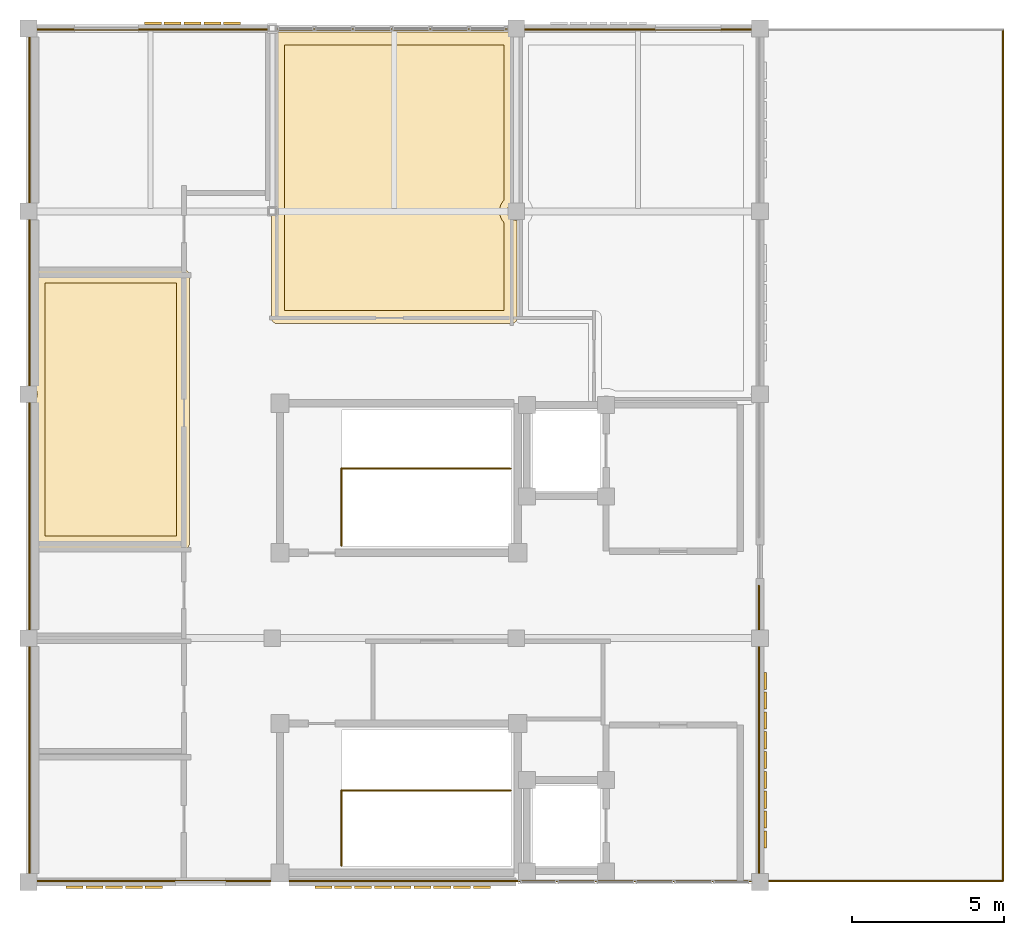
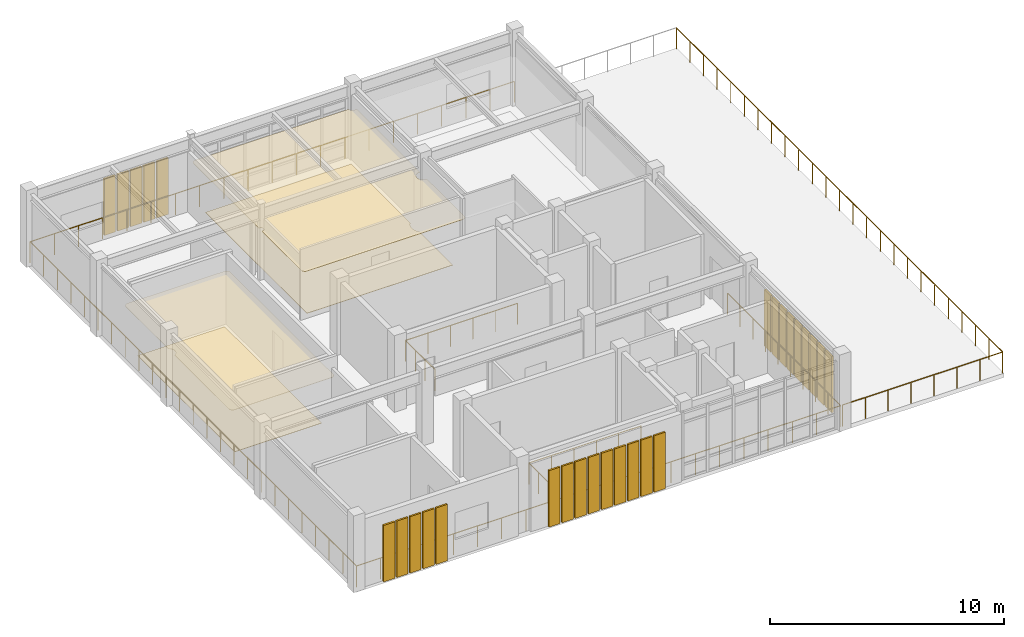
# One storey, part 10 of 11: 28 shading devices, 10 railings, 4 coverings.
"""IFC4 building model written with IfcOpenShell, lengths in metres."""

from ifc_helpers import new_model, si_unit, direction, frame, origin, origin_2d, place, context, subcontext, project, spatial, polyline, rectangle, circle, outline, extrude, material, layer, layer_set, type_object, element, save


model = new_model("IFC4")

# Units and contexts
model_context = context("Model", 3, precision=1e-05, world=origin(), true_north=direction((0.0, 1.0)))
body_context = subcontext(model_context, "Body", "Model", "MODEL_VIEW")
ifc_project = project(units=[si_unit("LENGTHUNIT", "METRE"), si_unit("AREAUNIT", "SQUARE_METRE"), si_unit("VOLUMEUNIT", "CUBIC_METRE"), si_unit("PLANEANGLEUNIT", "RADIAN"), si_unit("MASSUNIT", "GRAM", prefix="KILO")], contexts=[model_context])

# Site, building, storey
site_placement = place(None, origin())
site = spatial("IfcSite", under=ifc_project, at=site_placement, CompositionType="ELEMENT")
building_placement = place(site_placement, origin())
building = spatial("IfcBuilding", under=site, at=building_placement, Name="Celadon Cloister-Ring School", CompositionType="ELEMENT")
storey_placement = place(building_placement, frame((0.0, 0.0, 20.5)))
storey = spatial("IfcBuildingStorey", under=building, at=storey_placement, Name="L05", CompositionType="ELEMENT", Elevation=20.5)

# Coverings
ifc_material_1 = material(Name="Mineral-fibre acoustic ceiling board")
ifc_layer_1 = layer(ifc_material_1, 0.02001953125)
ifc_layer_set_1 = layer_set([ifc_layer_1], Name="Mineral-fibre acoustic ceiling board")
covering_type_1 = type_object("IfcCoveringType", Name="CV-CL1", PredefinedType="CEILING", material=ifc_layer_set_1)
covering_1_placement = place(storey_placement, frame((0.0, 0.0, 2.550048828125)))
element("IfcCovering", 1, at=covering_1_placement, inside=storey, type_object=covering_type_1, Name="Acoustic Ceiling 0032", PredefinedType="CEILING", context=body_context, shape_type="SweptSolid", body=[
    extrude(outline(polyline([(16.030029296875, 67.70703125), (16.030029296875, 62.29296875), (15.970947265625, 62.2939453125), (15.9140625, 62.281982421875), (15.861083984375, 62.260009765625), (15.81298828125, 62.22802734375), (15.77197265625, 62.18701171875), (15.739990234375, 62.138916015625), (15.7109375, 62.05810546875), (15.705078125, 62.0), (15.7109375, 61.94189453125), (15.739990234375, 61.861083984375), (15.77197265625, 61.81298828125), (15.81298828125, 61.77197265625), (15.861083984375, 61.739990234375), (15.9140625, 61.718017578125), (15.970947265625, 61.7060546875), (16.030029296875, 61.70703125), (16.030029296875, 58.5), (16.01611328125, 58.430908203125), (15.989013671875, 58.385986328125), (15.93505859375, 58.341064453125), (15.885009765625, 58.322998046875), (15.85009765625, 58.320068359375), (8.14990234375, 58.320068359375), (8.097900390625, 58.327880859375), (8.035888671875, 58.361083984375), (8.010986328125, 58.385986328125), (7.98388671875, 58.430908203125), (7.969970703125, 58.5), (7.969970703125, 61.8740234375), (8.02490234375, 61.8720703125), (8.08203125, 61.89990234375), (8.1201171875, 61.949951171875), (8.1298828125, 62.0), (8.114990234375, 62.06103515625), (8.08203125, 62.10009765625), (8.02490234375, 62.1279296875), (7.969970703125, 62.1259765625), (7.969970703125, 67.699951171875), (7.97802734375, 67.751953125), (8.010986328125, 67.81396484375), (8.06494140625, 67.85888671875), (8.097900390625, 67.8720703125), (8.14990234375, 67.8798828125), (15.73095703125, 67.8798828125), (15.77197265625, 67.81298828125), (15.8359375, 67.7548828125), (15.9140625, 67.718017578125), (15.970947265625, 67.7060546875), (16.030029296875, 67.70703125)])), origin(), (0.0, 0.0, 1.0), 0.02001953125),
])
covering_2_placement = place(storey_placement, frame((0.0, 0.0, 2.550048828125)))
element("IfcCovering", 2, at=covering_2_placement, inside=storey, type_object=covering_type_1, Name="Acoustic Ceiling 0036", PredefinedType="CEILING", context=body_context, shape_type="SweptSolid", body=[
    extrude(outline(polyline([(5.117919921875, 60.0791015625), (5.18505859375, 60.05908203125), (5.22705078125, 60.027099609375), (5.26611328125, 59.968994140625), (5.280029296875, 59.89990234375), (5.280029296875, 51.10009765625), (5.277099609375, 51.06494140625), (5.259033203125, 51.014892578125), (5.22705078125, 50.972900390625), (5.18505859375, 50.94091796875), (5.135009765625, 50.923095703125), (5.10009765625, 50.919921875), (0.300048828125, 50.919921875), (0.264892578125, 50.923095703125), (0.215087890625, 50.94091796875), (0.173095703125, 50.972900390625), (0.14111328125, 51.014892578125), (0.123046875, 51.06494140625), (0.1201171875, 51.10009765625), (0.1201171875, 55.73095703125), (0.18701171875, 55.77197265625), (0.2451171875, 55.8359375), (0.281982421875, 55.9140625), (0.294921875, 56.0), (0.281982421875, 56.0859375), (0.2451171875, 56.1640625), (0.18701171875, 56.22802734375), (0.1201171875, 56.26904296875), (0.1201171875, 59.89990234375), (0.123046875, 59.93505859375), (0.14111328125, 59.985107421875), (0.173095703125, 60.027099609375), (0.215087890625, 60.05908203125), (0.264892578125, 60.076904296875), (0.300048828125, 60.080078125), (5.117919921875, 60.0791015625)])), origin(), (0.0, 0.0, 1.0), 0.02001953125),
])
ifc_material_2 = material(Name="Polished cement-marble terrazzo tile", Category="masonry")
ifc_layer_2 = layer(ifc_material_2, 0.01806640625)
ifc_layer_set_2 = layer_set([ifc_layer_2], Name="Polished cement-marble terrazzo tile")
covering_type_2 = type_object("IfcCoveringType", Name="CV-FL1", PredefinedType="FLOORING", material=ifc_layer_set_2)
covering_3_placement = place(storey_placement, origin())
element("IfcCovering", 3, at=covering_3_placement, inside=storey, type_object=covering_type_2, Name="Terrazzo Flooring 0031", PredefinedType="FLOORING", context=body_context, shape_type="SweptSolid", body=[
    extrude(outline(polyline([(15.60009765625, 61.6298828125), (15.60009765625, 58.75), (8.39990234375, 58.75), (8.39990234375, 67.449951171875), (15.60009765625, 67.449951171875), (15.60009765625, 62.3701171875), (15.5869140625, 62.35498046875), (15.571044921875, 62.3359375), (15.553955078125, 62.31298828125), (15.5400390625, 62.2919921875), (15.52490234375, 62.26806640625), (15.513916015625, 62.24609375), (15.5009765625, 62.219970703125), (15.491943359375, 62.197021484375), (15.48193359375, 62.169921875), (15.47509765625, 62.14599609375), (15.468017578125, 62.117919921875), (15.462890625, 62.093994140625), (15.458984375, 62.06591796875), (15.45703125, 62.041015625), (15.455078125, 62.011962890625), (15.455078125, 61.988037109375), (15.45703125, 61.958984375), (15.458984375, 61.93408203125), (15.462890625, 61.906005859375), (15.468017578125, 61.882080078125), (15.47509765625, 61.85400390625), (15.48193359375, 61.830078125), (15.491943359375, 61.802978515625), (15.5009765625, 61.780029296875), (15.513916015625, 61.75390625), (15.52490234375, 61.73193359375), (15.5400390625, 61.7080078125), (15.553955078125, 61.68701171875), (15.571044921875, 61.6640625), (15.5869140625, 61.64501953125), (15.60009765625, 61.6298828125)])), origin(), (0.0, 0.0, 1.0), 0.01806640625),
])
covering_4_placement = place(storey_placement, origin())
element("IfcCovering", 4, at=covering_4_placement, inside=storey, type_object=covering_type_2, Name="Terrazzo Flooring 0035", PredefinedType="FLOORING", context=body_context, shape_type="SweptSolid", body=[
    extrude(outline(polyline([(4.85009765625, 59.64990234375), (4.85009765625, 51.35009765625), (0.550048828125, 51.35009765625), (0.550048828125, 59.64990234375), (4.85009765625, 59.64990234375)])), origin(), (0.0, 0.0, 1.0), 0.01806640625),
])

# Railings
ifc_material_3 = material(Name="Structural steel S355JR", Category="steel")
railing_type_1 = type_object("IfcRailingType", Name="RL-BL1", PredefinedType="BALUSTRADE", material=ifc_material_3)
railing_1_placement = place(storey_placement, frame((0.0400390625, 40.0400390625, 0.0)))
element("IfcRailing", 5, at=railing_1_placement, inside=storey, type_object=railing_type_1, Name="Terrace Balustrade 0461", PredefinedType="BALUSTRADE", context=body_context, shape_type="SweptSolid", body=[
    extrude(circle(Radius=0.02392578125, at=origin_2d()), frame((0.0, 0.0, 1.09619140625), z_axis=(1.0, 0.0, 0.0), x_axis=(0.0, 1.0, 0.0)), (0.0, 0.0, 1.0), 23.919921875),
    extrude(circle(Radius=0.02099609375, at=origin_2d()), origin(), (0.0, 0.0, 1.0), 1.072021484375),
    extrude(circle(Radius=0.02099609375, at=origin_2d()), frame((1.196044921875, 0.0, 0.0)), (0.0, 0.0, 1.0), 1.072021484375),
    extrude(circle(Radius=0.02099609375, at=origin_2d()), frame((2.39208984375, 0.0, 0.0)), (0.0, 0.0, 1.0), 1.072021484375),
    extrude(circle(Radius=0.02099609375, at=origin_2d()), frame((3.587890625, 0.0, 0.0)), (0.0, 0.0, 1.0), 1.072021484375),
    extrude(circle(Radius=0.02099609375, at=origin_2d()), frame((4.783935546875, 0.0, 0.0)), (0.0, 0.0, 1.0), 1.072021484375),
    extrude(circle(Radius=0.02099609375, at=origin_2d()), frame((5.97998046875, 0.0, 0.0)), (0.0, 0.0, 1.0), 1.072021484375),
    extrude(circle(Radius=0.02099609375, at=origin_2d()), frame((7.176025390625, 0.0, 0.0)), (0.0, 0.0, 1.0), 1.072021484375),
    extrude(circle(Radius=0.02099609375, at=origin_2d()), frame((8.3720703125, 0.0, 0.0)), (0.0, 0.0, 1.0), 1.072021484375),
    extrude(circle(Radius=0.02099609375, at=origin_2d()), frame((9.56787109375, 0.0, 0.0)), (0.0, 0.0, 1.0), 1.072021484375),
    extrude(circle(Radius=0.02099609375, at=origin_2d()), frame((10.763916015625, 0.0, 0.0)), (0.0, 0.0, 1.0), 1.072021484375),
    extrude(circle(Radius=0.02099609375, at=origin_2d()), frame((11.9599609375, 0.0, 0.0)), (0.0, 0.0, 1.0), 1.072021484375),
    extrude(circle(Radius=0.02099609375, at=origin_2d()), frame((13.156005859375, 0.0, 0.0)), (0.0, 0.0, 1.0), 1.072021484375),
    extrude(circle(Radius=0.02099609375, at=origin_2d()), frame((14.35205078125, 0.0, 0.0)), (0.0, 0.0, 1.0), 1.072021484375),
    extrude(circle(Radius=0.02099609375, at=origin_2d()), frame((15.5478515625, 0.0, 0.0)), (0.0, 0.0, 1.0), 1.072021484375),
    extrude(circle(Radius=0.02099609375, at=origin_2d()), frame((16.743896484375, 0.0, 0.0)), (0.0, 0.0, 1.0), 1.072021484375),
    extrude(circle(Radius=0.02099609375, at=origin_2d()), frame((17.93994140625, 0.0, 0.0)), (0.0, 0.0, 1.0), 1.072021484375),
    extrude(circle(Radius=0.02099609375, at=origin_2d()), frame((19.135986328125, 0.0, 0.0)), (0.0, 0.0, 1.0), 1.072021484375),
    extrude(circle(Radius=0.02099609375, at=origin_2d()), frame((20.33203125, 0.0, 0.0)), (0.0, 0.0, 1.0), 1.072021484375),
    extrude(circle(Radius=0.02099609375, at=origin_2d()), frame((21.52783203125, 0.0, 0.0)), (0.0, 0.0, 1.0), 1.072021484375),
    extrude(circle(Radius=0.02099609375, at=origin_2d()), frame((22.723876953125, 0.0, 0.0)), (0.0, 0.0, 1.0), 1.072021484375),
    extrude(circle(Radius=0.02099609375, at=origin_2d()), frame((23.919921875, 0.0, 0.0)), (0.0, 0.0, 1.0), 1.072021484375),
])
railing_2_placement = place(storey_placement, frame((23.9599609375, 40.0400390625, 0.0)))
element("IfcRailing", 6, at=railing_2_placement, inside=storey, type_object=railing_type_1, Name="Terrace Balustrade 0462", PredefinedType="BALUSTRADE", context=body_context, shape_type="SweptSolid", body=[
    extrude(circle(Radius=0.02392578125, at=origin_2d()), frame((0.0, 0.0, 1.09619140625), z_axis=(0.0, 1.0, 0.0), x_axis=(-1.0, 0.0, 0.0)), (0.0, 0.0, 1.0), 9.6728515625),
    extrude(circle(Radius=0.02099609375, at=origin_2d()), origin(), (0.0, 0.0, 1.0), 1.072021484375),
    extrude(circle(Radius=0.02099609375, at=origin_2d()), frame((0.0, 1.07470703125, 0.0)), (0.0, 0.0, 1.0), 1.072021484375),
    extrude(circle(Radius=0.02099609375, at=origin_2d()), frame((0.0, 2.1494140625, 0.0)), (0.0, 0.0, 1.0), 1.072021484375),
    extrude(circle(Radius=0.02099609375, at=origin_2d()), frame((0.0, 3.224365234375, 0.0)), (0.0, 0.0, 1.0), 1.072021484375),
    extrude(circle(Radius=0.02099609375, at=origin_2d()), frame((0.0, 4.299072265625, 0.0)), (0.0, 0.0, 1.0), 1.072021484375),
    extrude(circle(Radius=0.02099609375, at=origin_2d()), frame((0.0, 5.373779296875, 0.0)), (0.0, 0.0, 1.0), 1.072021484375),
    extrude(circle(Radius=0.02099609375, at=origin_2d()), frame((0.0, 6.448486328125, 0.0)), (0.0, 0.0, 1.0), 1.072021484375),
    extrude(circle(Radius=0.02099609375, at=origin_2d()), frame((0.0, 7.5234375, 0.0)), (0.0, 0.0, 1.0), 1.072021484375),
    extrude(circle(Radius=0.02099609375, at=origin_2d()), frame((0.0, 8.59814453125, 0.0)), (0.0, 0.0, 1.0), 1.072021484375),
    extrude(circle(Radius=0.02099609375, at=origin_2d()), frame((0.0, 9.6728515625, 0.0)), (0.0, 0.0, 1.0), 1.072021484375),
])
railing_3_placement = place(storey_placement, frame((23.9599609375, 67.9599609375, 0.0)))
element("IfcRailing", 7, at=railing_3_placement, inside=storey, type_object=railing_type_1, Name="Terrace Balustrade 0464", PredefinedType="BALUSTRADE", context=body_context, shape_type="SweptSolid", body=[
    extrude(circle(Radius=0.02392578125, at=origin_2d()), frame((0.0, 0.0, 1.09619140625), z_axis=(-1.0, 0.0, 0.0), x_axis=(0.0, -1.0, 0.0)), (0.0, 0.0, 1.0), 23.919921875),
    extrude(circle(Radius=0.02099609375, at=origin_2d()), origin(), (0.0, 0.0, 1.0), 1.072021484375),
    extrude(circle(Radius=0.02099609375, at=origin_2d()), frame((-1.196044921875, 0.0, 0.0)), (0.0, 0.0, 1.0), 1.072021484375),
    extrude(circle(Radius=0.02099609375, at=origin_2d()), frame((-2.39208984375, 0.0, 0.0)), (0.0, 0.0, 1.0), 1.072021484375),
    extrude(circle(Radius=0.02099609375, at=origin_2d()), frame((-3.587890625, 0.0, 0.0)), (0.0, 0.0, 1.0), 1.072021484375),
    extrude(circle(Radius=0.02099609375, at=origin_2d()), frame((-4.783935546875, 0.0, 0.0)), (0.0, 0.0, 1.0), 1.072021484375),
    extrude(circle(Radius=0.02099609375, at=origin_2d()), frame((-5.97998046875, 0.0, 0.0)), (0.0, 0.0, 1.0), 1.072021484375),
    extrude(circle(Radius=0.02099609375, at=origin_2d()), frame((-7.176025390625, 0.0, 0.0)), (0.0, 0.0, 1.0), 1.072021484375),
    extrude(circle(Radius=0.02099609375, at=origin_2d()), frame((-8.3720703125, 0.0, 0.0)), (0.0, 0.0, 1.0), 1.072021484375),
    extrude(circle(Radius=0.02099609375, at=origin_2d()), frame((-9.56787109375, 0.0, 0.0)), (0.0, 0.0, 1.0), 1.072021484375),
    extrude(circle(Radius=0.02099609375, at=origin_2d()), frame((-10.763916015625, 0.0, 0.0)), (0.0, 0.0, 1.0), 1.072021484375),
    extrude(circle(Radius=0.02099609375, at=origin_2d()), frame((-11.9599609375, 0.0, 0.0)), (0.0, 0.0, 1.0), 1.072021484375),
    extrude(circle(Radius=0.02099609375, at=origin_2d()), frame((-13.156005859375, 0.0, 0.0)), (0.0, 0.0, 1.0), 1.072021484375),
    extrude(circle(Radius=0.02099609375, at=origin_2d()), frame((-14.35205078125, 0.0, 0.0)), (0.0, 0.0, 1.0), 1.072021484375),
    extrude(circle(Radius=0.02099609375, at=origin_2d()), frame((-15.5478515625, 0.0, 0.0)), (0.0, 0.0, 1.0), 1.072021484375),
    extrude(circle(Radius=0.02099609375, at=origin_2d()), frame((-16.743896484375, 0.0, 0.0)), (0.0, 0.0, 1.0), 1.072021484375),
    extrude(circle(Radius=0.02099609375, at=origin_2d()), frame((-17.93994140625, 0.0, 0.0)), (0.0, 0.0, 1.0), 1.072021484375),
    extrude(circle(Radius=0.02099609375, at=origin_2d()), frame((-19.135986328125, 0.0, 0.0)), (0.0, 0.0, 1.0), 1.072021484375),
    extrude(circle(Radius=0.02099609375, at=origin_2d()), frame((-20.33203125, 0.0, 0.0)), (0.0, 0.0, 1.0), 1.072021484375),
    extrude(circle(Radius=0.02099609375, at=origin_2d()), frame((-21.52783203125, 0.0, 0.0)), (0.0, 0.0, 1.0), 1.072021484375),
    extrude(circle(Radius=0.02099609375, at=origin_2d()), frame((-22.723876953125, 0.0, 0.0)), (0.0, 0.0, 1.0), 1.072021484375),
    extrude(circle(Radius=0.02099609375, at=origin_2d()), frame((-23.919921875, 0.0, 0.0)), (0.0, 0.0, 1.0), 1.072021484375),
])
railing_4_placement = place(storey_placement, frame((0.0400390625, 67.9599609375, 0.0)))
element("IfcRailing", 8, at=railing_4_placement, inside=storey, type_object=railing_type_1, Name="Terrace Balustrade 0465", PredefinedType="BALUSTRADE", context=body_context, shape_type="SweptSolid", body=[
    extrude(circle(Radius=0.02392578125, at=origin_2d()), frame((0.0, 0.0, 1.09619140625), z_axis=(0.0, -1.0, 0.0), x_axis=(1.0, 0.0, 0.0)), (0.0, 0.0, 1.0), 27.919921875),
    extrude(circle(Radius=0.02099609375, at=origin_2d()), origin(), (0.0, 0.0, 1.0), 1.072021484375),
    extrude(circle(Radius=0.02099609375, at=origin_2d()), frame((0.0, -1.163330078125, 0.0)), (0.0, 0.0, 1.0), 1.072021484375),
    extrude(circle(Radius=0.02099609375, at=origin_2d()), frame((0.0, -2.32666015625, 0.0)), (0.0, 0.0, 1.0), 1.072021484375),
    extrude(circle(Radius=0.02099609375, at=origin_2d()), frame((0.0, -3.489990234375, 0.0)), (0.0, 0.0, 1.0), 1.072021484375),
    extrude(circle(Radius=0.02099609375, at=origin_2d()), frame((0.0, -4.6533203125, 0.0)), (0.0, 0.0, 1.0), 1.072021484375),
    extrude(circle(Radius=0.02099609375, at=origin_2d()), frame((0.0, -5.816650390625, 0.0)), (0.0, 0.0, 1.0), 1.072021484375),
    extrude(circle(Radius=0.02099609375, at=origin_2d()), frame((0.0, -6.97998046875, 0.0)), (0.0, 0.0, 1.0), 1.072021484375),
    extrude(circle(Radius=0.02099609375, at=origin_2d()), frame((0.0, -8.143310546875, 0.0)), (0.0, 0.0, 1.0), 1.072021484375),
    extrude(circle(Radius=0.02099609375, at=origin_2d()), frame((0.0, -9.306640625, 0.0)), (0.0, 0.0, 1.0), 1.072021484375),
    extrude(circle(Radius=0.02099609375, at=origin_2d()), frame((0.0, -10.469970703125, 0.0)), (0.0, 0.0, 1.0), 1.072021484375),
    extrude(circle(Radius=0.02099609375, at=origin_2d()), frame((0.0, -11.63330078125, 0.0)), (0.0, 0.0, 1.0), 1.072021484375),
    extrude(circle(Radius=0.02099609375, at=origin_2d()), frame((0.0, -12.796630859375, 0.0)), (0.0, 0.0, 1.0), 1.072021484375),
    extrude(circle(Radius=0.02099609375, at=origin_2d()), frame((0.0, -13.9599609375, 0.0)), (0.0, 0.0, 1.0), 1.072021484375),
    extrude(circle(Radius=0.02099609375, at=origin_2d()), frame((0.0, -15.123291015625, 0.0)), (0.0, 0.0, 1.0), 1.072021484375),
    extrude(circle(Radius=0.02099609375, at=origin_2d()), frame((0.0, -16.28662109375, 0.0)), (0.0, 0.0, 1.0), 1.072021484375),
    extrude(circle(Radius=0.02099609375, at=origin_2d()), frame((0.0, -17.449951171875, 0.0)), (0.0, 0.0, 1.0), 1.072021484375),
    extrude(circle(Radius=0.02099609375, at=origin_2d()), frame((0.0, -18.61328125, 0.0)), (0.0, 0.0, 1.0), 1.072021484375),
    extrude(circle(Radius=0.02099609375, at=origin_2d()), frame((0.0, -19.776611328125, 0.0)), (0.0, 0.0, 1.0), 1.072021484375),
    extrude(circle(Radius=0.02099609375, at=origin_2d()), frame((0.0, -20.93994140625, 0.0)), (0.0, 0.0, 1.0), 1.072021484375),
    extrude(circle(Radius=0.02099609375, at=origin_2d()), frame((0.0, -22.103271484375, 0.0)), (0.0, 0.0, 1.0), 1.072021484375),
    extrude(circle(Radius=0.02099609375, at=origin_2d()), frame((0.0, -23.2666015625, 0.0)), (0.0, 0.0, 1.0), 1.072021484375),
    extrude(circle(Radius=0.02099609375, at=origin_2d()), frame((0.0, -24.429931640625, 0.0)), (0.0, 0.0, 1.0), 1.072021484375),
    extrude(circle(Radius=0.02099609375, at=origin_2d()), frame((0.0, -25.59326171875, 0.0)), (0.0, 0.0, 1.0), 1.072021484375),
    extrude(circle(Radius=0.02099609375, at=origin_2d()), frame((0.0, -26.756591796875, 0.0)), (0.0, 0.0, 1.0), 1.072021484375),
    extrude(circle(Radius=0.02099609375, at=origin_2d()), frame((0.0, -27.919921875, 0.0)), (0.0, 0.0, 1.0), 1.072021484375),
])
railing_5_placement = place(storey_placement, frame((31.9599609375, 67.9599609375, 0.0)))
element("IfcRailing", 9, at=railing_5_placement, inside=storey, type_object=railing_type_1, Name="Terrace Balustrade 0470", PredefinedType="BALUSTRADE", context=body_context, shape_type="SweptSolid", body=[
    extrude(circle(Radius=0.02392578125, at=origin_2d()), frame((0.0, 0.0, 1.09619140625), z_axis=(0.0, -1.0, 0.0), x_axis=(1.0, 0.0, 0.0)), (0.0, 0.0, 1.0), 27.919921875),
    extrude(circle(Radius=0.02099609375, at=origin_2d()), origin(), (0.0, 0.0, 1.0), 1.072021484375),
    extrude(circle(Radius=0.02099609375, at=origin_2d()), frame((0.0, -1.163330078125, 0.0)), (0.0, 0.0, 1.0), 1.072021484375),
    extrude(circle(Radius=0.02099609375, at=origin_2d()), frame((0.0, -2.32666015625, 0.0)), (0.0, 0.0, 1.0), 1.072021484375),
    extrude(circle(Radius=0.02099609375, at=origin_2d()), frame((0.0, -3.489990234375, 0.0)), (0.0, 0.0, 1.0), 1.072021484375),
    extrude(circle(Radius=0.02099609375, at=origin_2d()), frame((0.0, -4.6533203125, 0.0)), (0.0, 0.0, 1.0), 1.072021484375),
    extrude(circle(Radius=0.02099609375, at=origin_2d()), frame((0.0, -5.816650390625, 0.0)), (0.0, 0.0, 1.0), 1.072021484375),
    extrude(circle(Radius=0.02099609375, at=origin_2d()), frame((0.0, -6.97998046875, 0.0)), (0.0, 0.0, 1.0), 1.072021484375),
    extrude(circle(Radius=0.02099609375, at=origin_2d()), frame((0.0, -8.143310546875, 0.0)), (0.0, 0.0, 1.0), 1.072021484375),
    extrude(circle(Radius=0.02099609375, at=origin_2d()), frame((0.0, -9.306640625, 0.0)), (0.0, 0.0, 1.0), 1.072021484375),
    extrude(circle(Radius=0.02099609375, at=origin_2d()), frame((0.0, -10.469970703125, 0.0)), (0.0, 0.0, 1.0), 1.072021484375),
    extrude(circle(Radius=0.02099609375, at=origin_2d()), frame((0.0, -11.63330078125, 0.0)), (0.0, 0.0, 1.0), 1.072021484375),
    extrude(circle(Radius=0.02099609375, at=origin_2d()), frame((0.0, -12.796630859375, 0.0)), (0.0, 0.0, 1.0), 1.072021484375),
    extrude(circle(Radius=0.02099609375, at=origin_2d()), frame((0.0, -13.9599609375, 0.0)), (0.0, 0.0, 1.0), 1.072021484375),
    extrude(circle(Radius=0.02099609375, at=origin_2d()), frame((0.0, -15.123291015625, 0.0)), (0.0, 0.0, 1.0), 1.072021484375),
    extrude(circle(Radius=0.02099609375, at=origin_2d()), frame((0.0, -16.28662109375, 0.0)), (0.0, 0.0, 1.0), 1.072021484375),
    extrude(circle(Radius=0.02099609375, at=origin_2d()), frame((0.0, -17.449951171875, 0.0)), (0.0, 0.0, 1.0), 1.072021484375),
    extrude(circle(Radius=0.02099609375, at=origin_2d()), frame((0.0, -18.61328125, 0.0)), (0.0, 0.0, 1.0), 1.072021484375),
    extrude(circle(Radius=0.02099609375, at=origin_2d()), frame((0.0, -19.776611328125, 0.0)), (0.0, 0.0, 1.0), 1.072021484375),
    extrude(circle(Radius=0.02099609375, at=origin_2d()), frame((0.0, -20.93994140625, 0.0)), (0.0, 0.0, 1.0), 1.072021484375),
    extrude(circle(Radius=0.02099609375, at=origin_2d()), frame((0.0, -22.103271484375, 0.0)), (0.0, 0.0, 1.0), 1.072021484375),
    extrude(circle(Radius=0.02099609375, at=origin_2d()), frame((0.0, -23.2666015625, 0.0)), (0.0, 0.0, 1.0), 1.072021484375),
    extrude(circle(Radius=0.02099609375, at=origin_2d()), frame((0.0, -24.429931640625, 0.0)), (0.0, 0.0, 1.0), 1.072021484375),
    extrude(circle(Radius=0.02099609375, at=origin_2d()), frame((0.0, -25.59326171875, 0.0)), (0.0, 0.0, 1.0), 1.072021484375),
    extrude(circle(Radius=0.02099609375, at=origin_2d()), frame((0.0, -26.756591796875, 0.0)), (0.0, 0.0, 1.0), 1.072021484375),
    extrude(circle(Radius=0.02099609375, at=origin_2d()), frame((0.0, -27.919921875, 0.0)), (0.0, 0.0, 1.0), 1.072021484375),
])
railing_6_placement = place(storey_placement, frame((31.9599609375, 40.0400390625, 0.0)))
element("IfcRailing", 10, at=railing_6_placement, inside=storey, type_object=railing_type_1, Name="Terrace Balustrade 0471", PredefinedType="BALUSTRADE", context=body_context, shape_type="SweptSolid", body=[
    extrude(circle(Radius=0.02392578125, at=origin_2d()), frame((0.0, 0.0, 1.09619140625), z_axis=(-1.0, 0.0, 0.0), x_axis=(0.0, -1.0, 0.0)), (0.0, 0.0, 1.0), 7.919921875),
    extrude(circle(Radius=0.02099609375, at=origin_2d()), origin(), (0.0, 0.0, 1.0), 1.072021484375),
    extrude(circle(Radius=0.02099609375, at=origin_2d()), frame((-1.13134765625, 0.0, 0.0)), (0.0, 0.0, 1.0), 1.072021484375),
    extrude(circle(Radius=0.02099609375, at=origin_2d()), frame((-2.262939453125, 0.0, 0.0)), (0.0, 0.0, 1.0), 1.072021484375),
    extrude(circle(Radius=0.02099609375, at=origin_2d()), frame((-3.394287109375, 0.0, 0.0)), (0.0, 0.0, 1.0), 1.072021484375),
    extrude(circle(Radius=0.02099609375, at=origin_2d()), frame((-4.525634765625, 0.0, 0.0)), (0.0, 0.0, 1.0), 1.072021484375),
    extrude(circle(Radius=0.02099609375, at=origin_2d()), frame((-5.656982421875, 0.0, 0.0)), (0.0, 0.0, 1.0), 1.072021484375),
    extrude(circle(Radius=0.02099609375, at=origin_2d()), frame((-6.78857421875, 0.0, 0.0)), (0.0, 0.0, 1.0), 1.072021484375),
    extrude(circle(Radius=0.02099609375, at=origin_2d()), frame((-7.919921875, 0.0, 0.0)), (0.0, 0.0, 1.0), 1.072021484375),
])
ifc_material_4 = material(Name="Structural steel S355JR", Category="steel")
railing_type_2 = type_object("IfcRailingType", Name="RL-BL2", PredefinedType="BALUSTRADE", material=ifc_material_4)
railing_7_placement = place(storey_placement, frame((10.27001953125, 40.5400390625, 0.0)))
element("IfcRailing", 11, at=railing_7_placement, inside=storey, type_object=railing_type_2, Name="Interior Guard 0034", PredefinedType="BALUSTRADE", context=body_context, shape_type="SweptSolid", body=[
    extrude(circle(Radius=0.02392578125, at=origin_2d()), frame((0.0, 0.0, 1.09619140625), z_axis=(0.0, 1.0, 0.0), x_axis=(-1.0, 0.0, 0.0)), (0.0, 0.0, 1.0), 2.4599609375),
    extrude(circle(Radius=0.02099609375, at=origin_2d()), origin(), (0.0, 0.0, 1.0), 1.072021484375),
    extrude(circle(Radius=0.02099609375, at=origin_2d()), frame((0.0, 0.820068359375, 0.0)), (0.0, 0.0, 1.0), 1.072021484375),
    extrude(circle(Radius=0.02099609375, at=origin_2d()), frame((0.0, 1.639892578125, 0.0)), (0.0, 0.0, 1.0), 1.072021484375),
    extrude(circle(Radius=0.02099609375, at=origin_2d()), frame((0.0, 2.4599609375, 0.0)), (0.0, 0.0, 1.0), 1.072021484375),
])
railing_8_placement = place(storey_placement, frame((10.27001953125, 43.0, 0.0)))
element("IfcRailing", 12, at=railing_8_placement, inside=storey, type_object=railing_type_2, Name="Interior Guard 0035", PredefinedType="BALUSTRADE", context=body_context, shape_type="SweptSolid", body=[
    extrude(circle(Radius=0.02392578125, at=origin_2d()), frame((0.0, 0.0, 1.09619140625), z_axis=(1.0, 0.0, 0.0), x_axis=(0.0, 1.0, 0.0)), (0.0, 0.0, 1.0), 5.5400390625),
    extrude(circle(Radius=0.02099609375, at=origin_2d()), origin(), (0.0, 0.0, 1.0), 1.072021484375),
    extrude(circle(Radius=0.02099609375, at=origin_2d()), frame((1.10791015625, 0.0, 0.0)), (0.0, 0.0, 1.0), 1.072021484375),
    extrude(circle(Radius=0.02099609375, at=origin_2d()), frame((2.216064453125, 0.0, 0.0)), (0.0, 0.0, 1.0), 1.072021484375),
    extrude(circle(Radius=0.02099609375, at=origin_2d()), frame((3.323974609375, 0.0, 0.0)), (0.0, 0.0, 1.0), 1.072021484375),
    extrude(circle(Radius=0.02099609375, at=origin_2d()), frame((4.43212890625, 0.0, 0.0)), (0.0, 0.0, 1.0), 1.072021484375),
    extrude(circle(Radius=0.02099609375, at=origin_2d()), frame((5.5400390625, 0.0, 0.0)), (0.0, 0.0, 1.0), 1.072021484375),
])
railing_9_placement = place(storey_placement, frame((10.27001953125, 51.0400390625, 0.0)))
element("IfcRailing", 13, at=railing_9_placement, inside=storey, type_object=railing_type_2, Name="Interior Guard 0069", PredefinedType="BALUSTRADE", context=body_context, shape_type="SweptSolid", body=[
    extrude(circle(Radius=0.02392578125, at=origin_2d()), frame((0.0, 0.0, 1.09619140625), z_axis=(0.0, 1.0, 0.0), x_axis=(-1.0, 0.0, 0.0)), (0.0, 0.0, 1.0), 2.52001953125),
    extrude(circle(Radius=0.02099609375, at=origin_2d()), origin(), (0.0, 0.0, 1.0), 1.072021484375),
    extrude(circle(Radius=0.02099609375, at=origin_2d()), frame((0.0, 0.840087890625, 0.0)), (0.0, 0.0, 1.0), 1.072021484375),
    extrude(circle(Radius=0.02099609375, at=origin_2d()), frame((0.0, 1.679931640625, 0.0)), (0.0, 0.0, 1.0), 1.072021484375),
    extrude(circle(Radius=0.02099609375, at=origin_2d()), frame((0.0, 2.52001953125, 0.0)), (0.0, 0.0, 1.0), 1.072021484375),
])
railing_10_placement = place(storey_placement, frame((10.27001953125, 53.56005859375, 0.0)))
element("IfcRailing", 14, at=railing_10_placement, inside=storey, type_object=railing_type_2, Name="Interior Guard 0070", PredefinedType="BALUSTRADE", context=body_context, shape_type="SweptSolid", body=[
    extrude(circle(Radius=0.02392578125, at=origin_2d()), frame((0.0, 0.0, 1.09619140625), z_axis=(1.0, 0.0, 0.0), x_axis=(0.0, 1.0, 0.0)), (0.0, 0.0, 1.0), 5.5400390625),
    extrude(circle(Radius=0.02099609375, at=origin_2d()), origin(), (0.0, 0.0, 1.0), 1.072021484375),
    extrude(circle(Radius=0.02099609375, at=origin_2d()), frame((1.10791015625, 0.0, 0.0)), (0.0, 0.0, 1.0), 1.072021484375),
    extrude(circle(Radius=0.02099609375, at=origin_2d()), frame((2.216064453125, 0.0, 0.0)), (0.0, 0.0, 1.0), 1.072021484375),
    extrude(circle(Radius=0.02099609375, at=origin_2d()), frame((3.323974609375, 0.0, 0.0)), (0.0, 0.0, 1.0), 1.072021484375),
    extrude(circle(Radius=0.02099609375, at=origin_2d()), frame((4.43212890625, 0.0, 0.0)), (0.0, 0.0, 1.0), 1.072021484375),
    extrude(circle(Radius=0.02099609375, at=origin_2d()), frame((5.5400390625, 0.0, 0.0)), (0.0, 0.0, 1.0), 1.072021484375),
])

# Shading devices
ifc_material_5 = material(Name="Glazed celadon architectural terracotta", Category="masonry")
shading_device_type = type_object("IfcShadingDeviceType", Name="SD-01", PredefinedType="USERDEFINED", material=ifc_material_5)
for number, where, z_axis, x_axis, name in (
    (15, (4.08203125, 68.172119140625, 0.0), (0.0, 0.0, 1.0), (1.0, 0.0, 0.0), "Celadon Sunshade Screen 0352"),
    (16, (4.73193359375, 68.172119140625, 0.0), (0.0, 0.0, 1.0), (1.0, 0.0, 0.0), "Celadon Sunshade Screen 0353"),
    (17, (5.383056640625, 68.172119140625, 0.0), (0.0, 0.0, 1.0), (1.0, 0.0, 0.0), "Celadon Sunshade Screen 0354"),
    (18, (6.031982421875, 68.172119140625, 0.0), (0.0, 0.0, 1.0), (1.0, 0.0, 0.0), "Celadon Sunshade Screen 0355"),
    (19, (6.68310546875, 68.172119140625, 0.0), (0.0, 0.0, 1.0), (1.0, 0.0, 0.0), "Celadon Sunshade Screen 0356"),
    (20, (24.172119140625, 46.60009765625, 0.0), (0.0, 0.0, 1.0), (0.0, -1.0, 0.0), "Celadon Sunshade Screen 0374"),
    (21, (24.172119140625, 45.949951171875, 0.0), (0.0, 0.0, 1.0), (0.0, -1.0, 0.0), "Celadon Sunshade Screen 0375"),
    (22, (24.172119140625, 45.300048828125, 0.0), (0.0, 0.0, 1.0), (0.0, -1.0, 0.0), "Celadon Sunshade Screen 0376"),
    (23, (24.172119140625, 44.64990234375, 0.0), (0.0, 0.0, 1.0), (0.0, -1.0, 0.0), "Celadon Sunshade Screen 0377"),
    (24, (24.172119140625, 44.0, 0.0), (0.0, 0.0, 1.0), (0.0, -1.0, 0.0), "Celadon Sunshade Screen 0378"),
    (25, (24.172119140625, 43.35009765625, 0.0), (0.0, 0.0, 1.0), (0.0, -1.0, 0.0), "Celadon Sunshade Screen 0379"),
    (26, (24.172119140625, 42.699951171875, 0.0), (0.0, 0.0, 1.0), (0.0, -1.0, 0.0), "Celadon Sunshade Screen 0380"),
    (27, (24.172119140625, 42.050048828125, 0.0), (0.0, 0.0, 1.0), (0.0, -1.0, 0.0), "Celadon Sunshade Screen 0381"),
    (28, (24.172119140625, 41.39990234375, 0.0), (0.0, 0.0, 1.0), (0.0, -1.0, 0.0), "Celadon Sunshade Screen 0382"),
    (29, (14.8759765625, 39.827880859375, 0.0), (0.0, 0.0, 1.0), (-1.0, 0.0, 0.0), "Celadon Sunshade Screen 0383"),
    (30, (14.22607421875, 39.827880859375, 0.0), (0.0, 0.0, 1.0), (-1.0, 0.0, 0.0), "Celadon Sunshade Screen 0384"),
    (31, (13.575927734375, 39.827880859375, 0.0), (0.0, 0.0, 1.0), (-1.0, 0.0, 0.0), "Celadon Sunshade Screen 0385"),
    (32, (12.926025390625, 39.827880859375, 0.0), (0.0, 0.0, 1.0), (-1.0, 0.0, 0.0), "Celadon Sunshade Screen 0386"),
    (33, (12.27587890625, 39.827880859375, 0.0), (0.0, 0.0, 1.0), (-1.0, 0.0, 0.0), "Celadon Sunshade Screen 0387"),
    (34, (11.6259765625, 39.827880859375, 0.0), (0.0, 0.0, 1.0), (-1.0, 0.0, 0.0), "Celadon Sunshade Screen 0388"),
    (35, (10.97607421875, 39.827880859375, 0.0), (0.0, 0.0, 1.0), (-1.0, 0.0, 0.0), "Celadon Sunshade Screen 0389"),
    (36, (10.325927734375, 39.827880859375, 0.0), (0.0, 0.0, 1.0), (-1.0, 0.0, 0.0), "Celadon Sunshade Screen 0390"),
    (37, (9.676025390625, 39.827880859375, 0.0), (0.0, 0.0, 1.0), (-1.0, 0.0, 0.0), "Celadon Sunshade Screen 0391"),
    (38, (4.113037109375, 39.827880859375, 0.0), (0.0, 0.0, 1.0), (-1.0, 0.0, 0.0), "Celadon Sunshade Screen 0392"),
    (39, (3.462890625, 39.827880859375, 0.0), (0.0, 0.0, 1.0), (-1.0, 0.0, 0.0), "Celadon Sunshade Screen 0393"),
    (40, (2.81201171875, 39.827880859375, 0.0), (0.0, 0.0, 1.0), (-1.0, 0.0, 0.0), "Celadon Sunshade Screen 0394"),
    (41, (2.1630859375, 39.827880859375, 0.0), (0.0, 0.0, 1.0), (-1.0, 0.0, 0.0), "Celadon Sunshade Screen 0395"),
    (42, (1.512939453125, 39.827880859375, 0.0), (0.0, 0.0, 1.0), (-1.0, 0.0, 0.0), "Celadon Sunshade Screen 0396"),
):
    element("IfcShadingDevice", number, at=place(storey_placement, frame(where, z_axis=z_axis, x_axis=x_axis)), inside=storey, type_object=shading_device_type, Name=name, ObjectType="SUNSHADE", PredefinedType="USERDEFINED", context=body_context, shape_type="SweptSolid", body=[
        extrude(rectangle(XDim=0.56005859375, YDim=0.090087890625, at=origin_2d()), origin(), (0.0, 0.0, 1.0), 2.949951171875),
    ])

save(model, "model.ifc")
